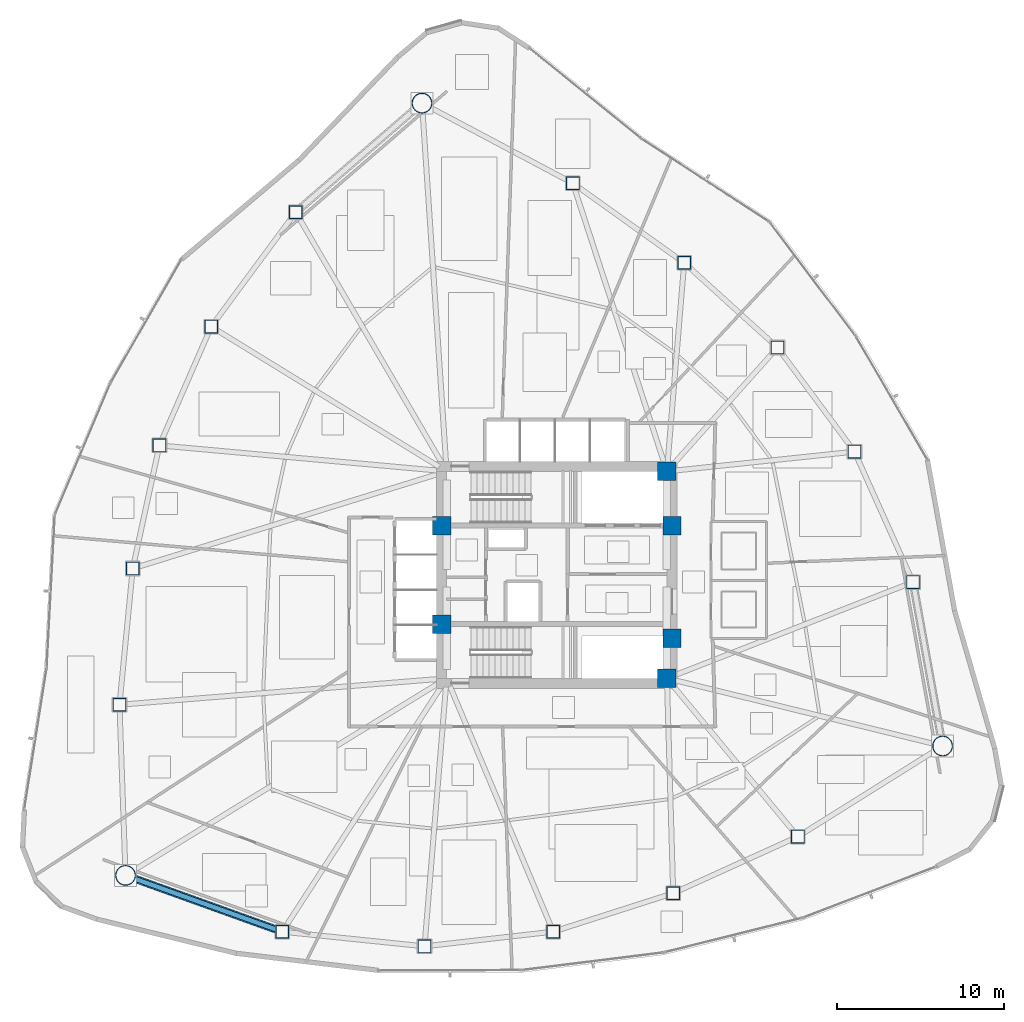
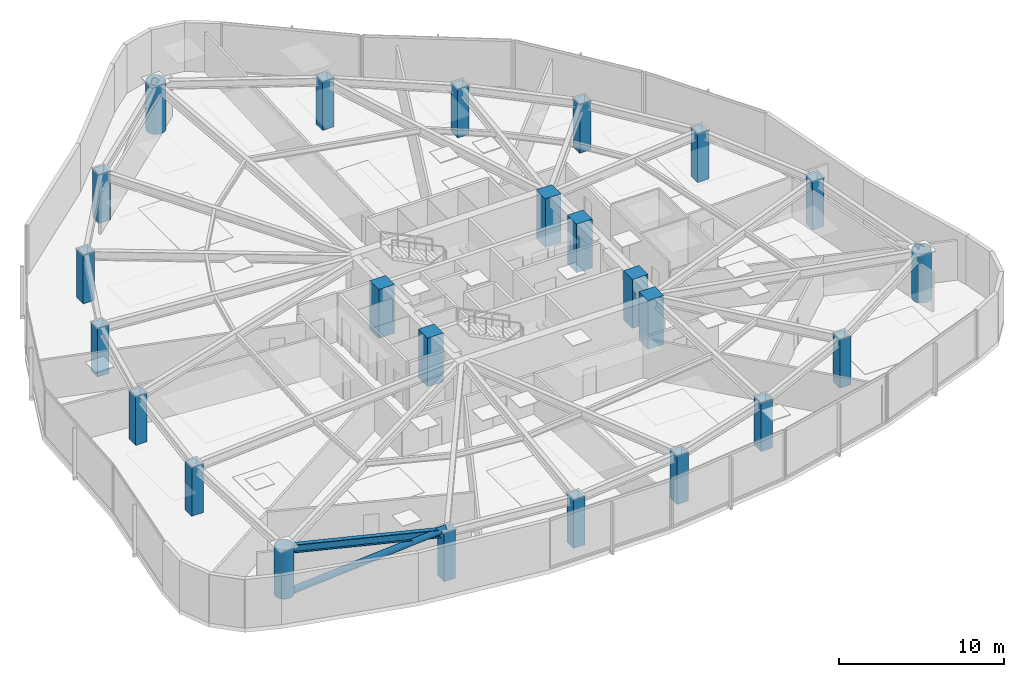
# One storey, part 1 of 17: 24 columns, 1 beam, 1 member.
"""IFC4 building model written with IfcOpenShell, lengths in metres."""

from ifc_helpers import new_model, si_unit, direction, frame, origin, origin_2d, place, context, subcontext, project, spatial, rectangle, hollow_rectangle, hollow_circle, i_section, extrude, material, material_profile, profile_set, type_object, element, save


model = new_model("IFC4")

# Units and contexts
model_context = context("Model", 3, precision=1e-05, world=origin(), true_north=direction((0.0, 1.0)))
body_context = subcontext(model_context, "Body", "Model", "MODEL_VIEW")
ifc_project = project(units=[si_unit("LENGTHUNIT", "METRE"), si_unit("AREAUNIT", "SQUARE_METRE"), si_unit("VOLUMEUNIT", "CUBIC_METRE"), si_unit("PLANEANGLEUNIT", "RADIAN"), si_unit("MASSUNIT", "GRAM", prefix="KILO")], contexts=[model_context])

# Site, building, storey
site_placement = place(None, origin())
site = spatial("IfcSite", under=ifc_project, at=site_placement, CompositionType="ELEMENT")
building_placement = place(site_placement, origin())
building = spatial("IfcBuilding", under=site, at=building_placement, Name="Tavelor Broadcast Tower", CompositionType="ELEMENT")
storey_placement = place(building_placement, frame((0.0, 0.0, 39.300048828125)))
storey = spatial("IfcBuildingStorey", under=building, at=storey_placement, Name="L08", CompositionType="ELEMENT", Elevation=39.300048828125)

# Columns
ifc_material_1 = material(Name="Concrete C60/75", Category="concrete")
ifc_material_profile_1 = material_profile(ifc_material_1, rectangle(XDim=1.10009765625, YDim=1.10009765625, at=origin_2d()), Name="RC 1100x1100")
ifc_profile_set_1 = profile_set([ifc_material_profile_1], Name="Concrete C60/75")
column_type_1 = type_object("IfcColumnType", Name="Core Embedded Composite Column RC1100", PredefinedType="COLUMN", material=ifc_profile_set_1)
for number, where, z_axis, x_axis, name in (
    (1, (43.10009765625, 47.949951171875, 0.0), (0.0, 0.0, 1.0), (1.0, 0.0, 0.0), "L08 Core Embedded Column 1"),
    (2, (56.89990234375, 47.949951171875, 0.0), (0.0, 0.0, 1.0), (1.0, 0.0, 0.0), "L08 Core Embedded Column 2"),
    (3, (56.60009765625, 51.199951171875, 0.0), (0.0, 0.0, 1.0), (1.0, 0.0, 0.0), "L08 Core Embedded Column 3"),
    (4, (43.10009765625, 42.050048828125, 0.0), (0.0, 0.0, 1.0), (1.0, 0.0, 0.0), "L08 Core Embedded Column 4"),
    (5, (56.89990234375, 41.199951171875, 0.0), (0.0, 0.0, 1.0), (1.0, 0.0, 0.0), "L08 Core Embedded Column 5"),
    (6, (56.60009765625, 38.800048828125, 0.0), (0.0, 0.0, 1.0), (1.0, 0.0, 0.0), "L08 Core Embedded Column 6"),
):
    element("IfcColumn", number, at=place(storey_placement, frame(where, z_axis=z_axis, x_axis=x_axis)), inside=storey, type_object=column_type_1, Name=name, PredefinedType="COLUMN", context=body_context, shape_type="SweptSolid", body=[
        extrude(rectangle(XDim=1.10009765625, YDim=1.10009765625, at=origin_2d()), origin(), (0.0, 0.0, 1.0), 3.599853515625),
    ])
ifc_material_2 = material(Name="Steel S460", Category="steel")
ifc_material_profile_2 = material_profile(ifc_material_2, hollow_rectangle(XDim=0.800048828125, YDim=0.800048828125, WallThickness=0.044921875, at=origin_2d()), Name="SHS 800x800x45")
ifc_profile_set_2 = profile_set([ifc_material_profile_2], Name="Steel S460")
column_type_2 = type_object("IfcColumnType", Name="Perimeter Tube Column T1 SHS 800x800x45", PredefinedType="COLUMN", material=ifc_profile_set_2)
for number, where, z_axis, x_axis, name in (
    (7, (34.356201171875, 66.727783203125, 0.0), (0.0, 0.0, 1.0), (1.0, 0.0, 0.0), "L08 Perimeter Framed-Tube Column 02"),
    (8, (29.292236328125, 59.87158203125, 0.0), (0.0, 0.0, 1.0), (1.0, 0.0, 0.0), "L08 Perimeter Framed-Tube Column 03"),
    (9, (26.189208984375, 52.75830078125, 0.0), (0.0, 0.0, 1.0), (1.0, 0.0, 0.0), "L08 Perimeter Framed-Tube Column 04"),
    (10, (24.58984375, 45.380615234375, 0.0), (0.0, 0.0, 1.0), (1.0, 0.0, 0.0), "L08 Perimeter Framed-Tube Column 05"),
    (11, (23.794677734375, 37.21630859375, 0.0), (0.0, 0.0, 1.0), (1.0, 0.0, 0.0), "L08 Perimeter Framed-Tube Column 06"),
    (12, (33.55078125, 23.615478515625, 0.0), (0.0, 0.0, 1.0), (1.0, 0.0, 0.0), "L08 Perimeter Framed-Tube Column 08"),
    (13, (42.0732421875, 22.740478515625, 0.0), (0.0, 0.0, 1.0), (1.0, 0.0, 0.0), "L08 Perimeter Framed-Tube Column 09"),
    (14, (49.78662109375, 23.617919921875, 0.0), (0.0, 0.0, 1.0), (1.0, 0.0, 0.0), "L08 Perimeter Framed-Tube Column 10"),
    (15, (56.975341796875, 25.92138671875, 0.0), (0.0, 0.0, 1.0), (1.0, 0.0, 0.0), "L08 Perimeter Framed-Tube Column 11"),
    (16, (64.443603515625, 29.31494140625, 0.0), (0.0, 0.0, 1.0), (1.0, 0.0, 0.0), "L08 Perimeter Framed-Tube Column 12"),
    (17, (71.343994140625, 44.564697265625, 0.0), (0.0, 0.0, 1.0), (1.0, 0.0, 0.0), "L08 Perimeter Framed-Tube Column 14"),
    (18, (67.8408203125, 52.382568359375, 0.0), (0.0, 0.0, 1.0), (1.0, 0.0, 0.0), "L08 Perimeter Framed-Tube Column 15"),
    (19, (63.22412109375, 58.623779296875, 0.0), (0.0, 0.0, 1.0), (1.0, 0.0, 0.0), "L08 Perimeter Framed-Tube Column 16"),
    (20, (57.634765625, 63.69775390625, 0.0), (0.0, 0.0, 1.0), (1.0, 0.0, 0.0), "L08 Perimeter Framed-Tube Column 17"),
    (21, (50.9619140625, 68.468505859375, 0.0), (0.0, 0.0, 1.0), (1.0, 0.0, 0.0), "L08 Perimeter Framed-Tube Column 18"),
):
    element("IfcColumn", number, at=place(storey_placement, frame(where, z_axis=z_axis, x_axis=x_axis)), inside=storey, type_object=column_type_2, Name=name, PredefinedType="COLUMN", context=body_context, shape_type="SweptSolid", body=[
        extrude(hollow_rectangle(XDim=0.800048828125, YDim=0.800048828125, WallThickness=0.044921875, at=origin_2d()), origin(), (0.0, 0.0, 1.0), 3.599853515625),
    ])
ifc_material_profile_3 = material_profile(ifc_material_2, hollow_circle(Radius=0.609619140625, WallThickness=0.050048828125, at=origin_2d()), Name="CHS 1219x50")
ifc_profile_set_3 = profile_set([ifc_material_profile_3], Name="Steel S460")
column_type_3 = type_object("IfcColumnType", Name="Tower Mega Column T1 CHS 1219x50", PredefinedType="COLUMN", material=ifc_profile_set_3)
for number, where, z_axis, x_axis, name in (
    (22, (41.923095703125, 73.266357421875, 0.0), (0.0, 0.0, 1.0), (1.0, 0.0, 0.0), "L08 Tower Corner Mega Column 01"),
    (23, (24.1591796875, 26.98974609375, 0.0), (0.0, 0.0, 1.0), (1.0, 0.0, 0.0), "L08 Tower Corner Mega Column 07"),
    (24, (73.117919921875, 34.743896484375, 0.0), (0.0, 0.0, 1.0), (1.0, 0.0, 0.0), "L08 Tower Corner Mega Column 13"),
):
    element("IfcColumn", number, at=place(storey_placement, frame(where, z_axis=z_axis, x_axis=x_axis)), inside=storey, type_object=column_type_3, Name=name, PredefinedType="COLUMN", context=body_context, shape_type="SweptSolid", body=[
        extrude(hollow_circle(Radius=0.609619140625, WallThickness=0.050048828125, at=origin_2d()), origin(), (0.0, 0.0, 1.0), 3.599853515625),
    ])

# Beam
ifc_material_3 = material(Name="Steel S355", Category="steel")
ifc_material_profile_4 = material_profile(ifc_material_3, i_section(OverallWidth=0.300048828125, OverallDepth=0.60009765625, WebThickness=0.015380859375, FlangeThickness=0.030029296875, at=origin_2d()), Name="HEB 600")
ifc_profile_set_4 = profile_set([ifc_material_profile_4], Name="Steel S355")
beam_type = type_object("IfcBeamType", Name="Perimeter Spandrel Beam T1 HEB 600", PredefinedType="SPANDREL", material=ifc_profile_set_4)
beam_placement = place(storey_placement, frame((24.709716796875, 26.7919921875, 3.300048828125), z_axis=(0.941102066303, -0.338122612081, 0.0), x_axis=(0.338122612081, 0.941102066303, 0.0)))
element("IfcBeam", 25, at=beam_placement, inside=storey, type_object=beam_type, Name="L08 Framed-Tube Ring Spandrel 07", PredefinedType="SPANDREL", context=body_context, shape_type="SweptSolid", body=[
    extrude(i_section(OverallWidth=0.300048828125, OverallDepth=0.60009765625, WebThickness=0.015380859375, FlangeThickness=0.030029296875, at=origin_2d()), origin(), (0.0, 0.0, 1.0), 9.010498046875),
])

# Member
ifc_material_profile_5 = material_profile(ifc_material_3, hollow_circle(Radius=0.228515625, WallThickness=0.02001953125, at=origin_2d()), Name="CHS 457x20")
ifc_profile_set_5 = profile_set([ifc_material_profile_5], Name="Steel S355")
member_type = type_object("IfcMemberType", Name="Perimeter Tube Brace T1 CHS 457x20", PredefinedType="BRACE", material=ifc_profile_set_5)
member_placement = place(storey_placement, frame((24.1591796875, 26.98974609375, 0.0), z_axis=(0.885264543661, -0.31806283815, 0.339326861191), x_axis=(0.338124247145, 0.941101478849, 0.0)))
element("IfcMember", 26, at=member_placement, inside=storey, type_object=member_type, Name="L08 Corner Tube Diagonal Brace 2", PredefinedType="BRACE", context=body_context, shape_type="SweptSolid", body=[
    extrude(hollow_circle(Radius=0.228515625, WallThickness=0.02001953125, at=origin_2d()), origin(), (0.0, 0.0, 1.0), 10.60888671875),
])

save(model, "model.ifc")
